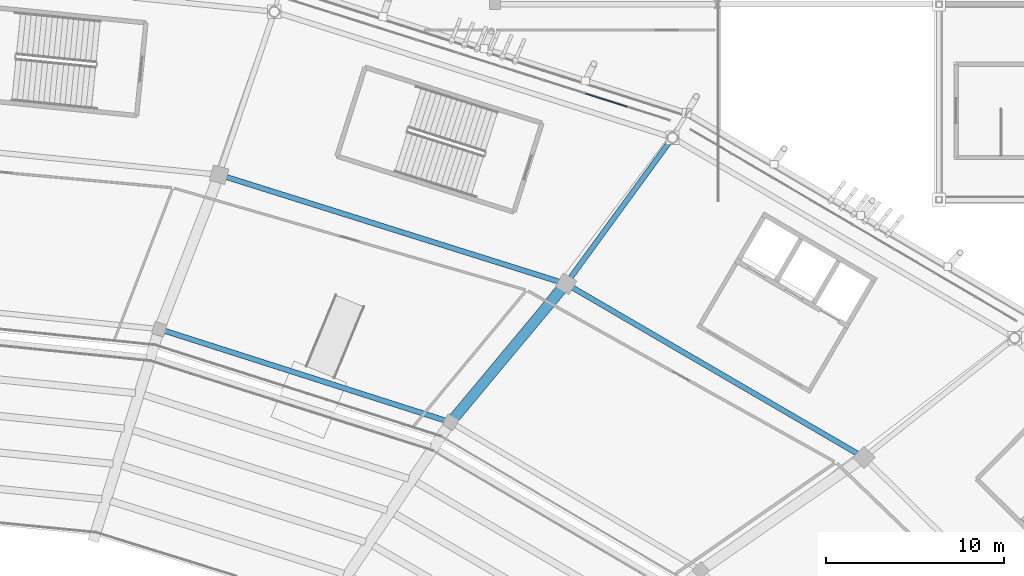
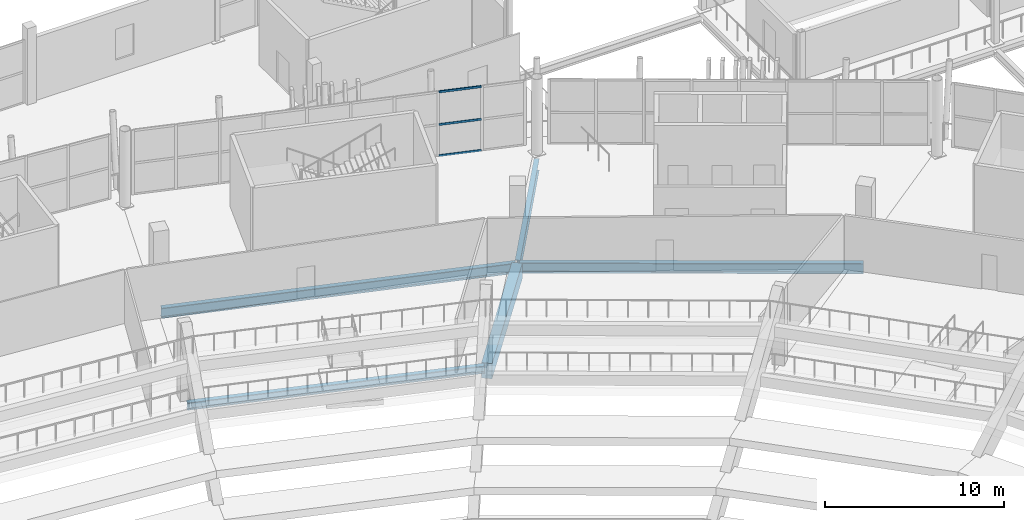
# One storey, part 81 of 178: 5 beams, 3 members, 1 element without a shape of its own.
"""IFC4 building model written with IfcOpenShell, lengths in metres."""

import ifcopenshell
import ifcopenshell.guid

model = None  # the IFC model being written
_history = None  # IfcOwnerHistory: only IFC2X3 demands one
_inside = {}  # id of a spatial element -> (the spatial element, [elements in it])
_under = {}  # id of a project, library or spatial element -> (it, [spatial elements below it])
_declared = {}  # id of a project -> (the project, [libraries it declares])
_typed = {}  # id of a type object -> (the type object, [elements of that type])
_made_of = {}  # id of a material, layer set ... -> (it, [elements and type objects made of it])


def new_model(schema):
    """Start an empty IFC model of exactly this schema.

    Asked for "IFC4X3", IfcOpenShell would pick the latest addendum, in which some entities
    have other attributes; the version numbers below select the first issue.
    IFC2X3 requires an IfcOwnerHistory on every rooted entity: one is made here for all.
    """
    global model, _history
    if schema == "IFC4X3":
        model = ifcopenshell.file(schema_version=(4, 3, 0, 0))
    else:
        model = ifcopenshell.file(schema=schema)
    _inside.clear()
    _under.clear()
    _declared.clear()
    _typed.clear()
    _made_of.clear()
    _history = None
    if model.schema == "IFC2X3":
        org = make("IfcOrganization", Name="unknown")
        user = make(
            "IfcPersonAndOrganization",
            ThePerson=make("IfcPerson", FamilyName="unknown"),
            TheOrganization=org,
        )
        app = make(
            "IfcApplication",
            ApplicationDeveloper=org,
            Version="unknown",
            ApplicationFullName="unknown",
            ApplicationIdentifier="unknown",
        )
        _history = make(
            "IfcOwnerHistory",
            OwningUser=user,
            OwningApplication=app,
            ChangeAction="ADDED",
            CreationDate=0,
        )
    return model


def make(cls, **values):
    """One entity of the class cls with the attributes given. An attribute that is None is left unset."""
    return model.create_entity(
        cls, **{name: value for name, value in values.items() if value is not None}
    )


def rooted(cls, **values):
    """An entity with a GlobalId (a new one), such as an element, a storey or a relation."""
    return make(cls, GlobalId=ifcopenshell.guid.new(), OwnerHistory=_history, **values)


def si_unit(unit_type, name, prefix=None):
    """IfcSIUnit, for example si_unit("LENGTHUNIT", "METRE", prefix="MILLI")."""
    return make("IfcSIUnit", UnitType=unit_type, Prefix=prefix, Name=name)


def assignment(units):
    """IfcUnitAssignment: the units of a project."""
    return None if units is None else make("IfcUnitAssignment", Units=units)


def point(xyz):
    """IfcCartesianPoint."""
    return None if xyz is None else make("IfcCartesianPoint", Coordinates=xyz)


def direction(xyz):
    """IfcDirection."""
    return None if xyz is None else make("IfcDirection", DirectionRatios=xyz)


def frame(location, z_axis=None, x_axis=None):
    """IfcAxis2Placement3D, a coordinate frame: its origin and axes. An axis left out is left unset."""
    return make(
        "IfcAxis2Placement3D",
        Location=point(location),
        Axis=direction(z_axis),
        RefDirection=direction(x_axis),
    )


def frame_2d(location, x_axis=None):
    """IfcAxis2Placement2D, a coordinate frame in the plane: its origin and x axis."""
    return make(
        "IfcAxis2Placement2D", Location=point(location), RefDirection=direction(x_axis)
    )


def origin():
    """The frame at (0, 0, 0) with its axes left unset."""
    return frame((0.0, 0.0, 0.0))


def origin_2d():
    """The frame at (0, 0) in the plane with its x axis left unset."""
    return frame_2d((0.0, 0.0))


def place(relative_to, where):
    """IfcLocalPlacement: puts the frame where relative to a parent placement (None: the world)."""
    return make(
        "IfcLocalPlacement", PlacementRelTo=relative_to, RelativePlacement=where
    )


def context(
    kind, dimensions, precision=None, world=None, true_north=None, identifier=None
):
    """IfcGeometricRepresentationContext, for example the 3D "Model" context."""
    return make(
        "IfcGeometricRepresentationContext",
        ContextIdentifier=identifier,
        ContextType=kind,
        CoordinateSpaceDimension=dimensions,
        Precision=precision,
        WorldCoordinateSystem=world,
        TrueNorth=true_north,
    )


def subcontext(parent, identifier, kind, view, scale=None):
    """IfcGeometricRepresentationSubContext, for example "Body" below "Model"."""
    return make(
        "IfcGeometricRepresentationSubContext",
        ContextIdentifier=identifier,
        ContextType=kind,
        ParentContext=parent,
        TargetScale=scale,
        TargetView=view,
    )


def project(units=None, contexts=None):
    """IfcProject with its units and contexts."""
    return rooted(
        "IfcProject",
        Name="project",
        RepresentationContexts=contexts,
        UnitsInContext=assignment(units),
    )


def spatial(cls, under=None, at=None, **own):
    """A site, building, storey or space (cls), placed at a placement, below another one or the project."""
    s = rooted(cls, ObjectPlacement=at, **own)
    if under is not None:
        _under.setdefault(under.id(), (under, []))[1].append(s)
    return s


def profile(cls, at=None, kind="AREA", **sizes):
    """A parametric profile (cls). Its sizes go by their IFC names, for example OverallWidth=200.0."""
    return make(cls, ProfileType=kind, Position=at, **sizes)


def rectangle(**sizes):
    """IfcRectangleProfileDef."""
    return profile("IfcRectangleProfileDef", **sizes)


def i_section(**sizes):
    """IfcIShapeProfileDef."""
    return profile("IfcIShapeProfileDef", **sizes)


def extrude(swept, where, along, depth):
    """IfcExtrudedAreaSolid: the profile swept, set in the frame where, extruded along a direction by depth."""
    return make(
        "IfcExtrudedAreaSolid",
        SweptArea=swept,
        Position=where,
        ExtrudedDirection=direction(along),
        Depth=depth,
    )


def shape(context_of_items, identifier, shape_type, items):
    """IfcShapeRepresentation: the items that make up one representation, for example the "Body"."""
    return make(
        "IfcShapeRepresentation",
        ContextOfItems=context_of_items,
        RepresentationIdentifier=identifier,
        RepresentationType=shape_type,
        Items=items,
    )


def material(Name=None, Category=None):
    """IfcMaterial."""
    return make("IfcMaterial", Name=Name, Category=Category)


def material_profile(
    of_material, cross_section, Name=None, Category=None, Priority=None
):
    """IfcMaterialProfile: a cross section and its material."""
    return make(
        "IfcMaterialProfile",
        Name=Name,
        Material=of_material,
        Profile=cross_section,
        Priority=Priority,
        Category=Category,
    )


def profile_set(profiles, Name=None, composite=None):
    """IfcMaterialProfileSet."""
    return make(
        "IfcMaterialProfileSet",
        Name=Name,
        MaterialProfiles=profiles,
        CompositeProfile=composite,
    )


def made_of(thing, what):
    """Note that an element or type object is made of a material, layer set ...; save() writes the relation."""
    if what is not None:
        _made_of.setdefault(what.id(), (what, []))[1].append(thing)
    return thing


def type_object(cls, material=None, **own):
    """A type object (cls), such as IfcWallType, which elements share."""
    return made_of(rooted(cls, **own), material)


def element(
    cls,
    number,
    at=None,
    inside=None,
    cuts=None,
    type_object=None,
    material=None,
    context=None,
    identifier="Body",
    shape_type=None,
    held_by="IfcProductDefinitionShape",
    body=None,
    shapes=None,
    **own,
):
    """One element of the class cls, such as IfcWall. Its Tag is "e" and its number.

    at: its placement. inside: the storey or other place that contains it. cuts: it is an
    opening in that element (IfcRelVoidsElement). A single representation is given by context,
    identifier, shape_type and body (its items); several are given by shapes. held_by: the class
    of the entity that holds the representations. save() writes the other relations.
    """
    e = rooted(cls, Tag="e%d" % number, ObjectPlacement=at, **own)
    if body is not None:
        shapes = [shape(context, identifier, shape_type, body)]
    if shapes is not None:
        e.Representation = make(held_by, Representations=shapes)
    if inside is not None:
        _inside.setdefault(inside.id(), (inside, []))[1].append(e)
    if cuts is not None:
        rooted(
            "IfcRelVoidsElement", RelatingBuildingElement=cuts, RelatedOpeningElement=e
        )
    if type_object is not None:
        _typed.setdefault(type_object.id(), (type_object, []))[1].append(e)
    return made_of(e, material)


def aggregate(whole, parts):
    """IfcRelAggregates: a whole, such as a stair, and the parts it consists of."""
    return rooted("IfcRelAggregates", RelatingObject=whole, RelatedObjects=parts)


def save(model, path):
    """Write the relations noted so far, then the file.

    IfcRelAggregates (storeys below a building ...), IfcRelContainedInSpatialStructure (elements
    in a storey), IfcRelDefinesByType, IfcRelAssociatesMaterial and IfcRelDeclares: one each for
    every whole, place, type object, material and project.
    """
    for whole, parts in _under.values():
        aggregate(whole, parts)
    for where, things in _inside.values():
        rooted(
            "IfcRelContainedInSpatialStructure",
            RelatedElements=things,
            RelatingStructure=where,
        )
    for kind, things in _typed.values():
        rooted("IfcRelDefinesByType", RelatedObjects=things, RelatingType=kind)
    for what, things in _made_of.values():
        rooted("IfcRelAssociatesMaterial", RelatedObjects=things, RelatingMaterial=what)
    for by, libraries in _declared.values():
        rooted("IfcRelDeclares", RelatingContext=by, RelatedDefinitions=libraries)
    model.write(path)


model = new_model("IFC4")

# Units and contexts
model_context = context("Model", 3, precision=1e-05, world=origin(), true_north=direction((0.0, 1.0)))
body_context = subcontext(model_context, "Body", "Model", "MODEL_VIEW")
ifc_project = project(units=[si_unit("LENGTHUNIT", "METRE"), si_unit("AREAUNIT", "SQUARE_METRE"), si_unit("VOLUMEUNIT", "CUBIC_METRE"), si_unit("PLANEANGLEUNIT", "RADIAN"), si_unit("MASSUNIT", "GRAM", prefix="KILO")], contexts=[model_context])

# Site, building, storey
site_placement = place(None, origin())
site = spatial("IfcSite", under=ifc_project, at=site_placement, CompositionType="ELEMENT")
building_placement = place(site_placement, origin())
building = spatial("IfcBuilding", under=site, at=building_placement, Name="Zlatoyarsky Gate Stadium", CompositionType="ELEMENT")
storey_placement = place(building_placement, frame((0.0, 0.0, 5.39990234375)))
storey = spatial("IfcBuildingStorey", under=building, at=storey_placement, Name="L01", CompositionType="ELEMENT", Elevation=5.39990234375)

# Curtain wall, members
ifc_material_1 = material(Name="Thermally broken anodised aluminium curtain wall", Category="aluminium")
curtain_wall_type = type_object("IfcCurtainWallType", Name="UNITISED HOSPITALITY GLAZING L01", PredefinedType="USERDEFINED", material=ifc_material_1)
curtain_wall_placement = place(storey_placement, origin())
curtain_wall = element("IfcCurtainWall", 1, at=curtain_wall_placement, inside=storey, type_object=curtain_wall_type, Name="Curtain wall CW-L01-04", ObjectType="UNITISED GLAZING", PredefinedType="USERDEFINED")
ifc_material_2 = material(Name="Anodised aluminium 6063-T6", Category="aluminium")
ifc_material_profile_1 = material_profile(ifc_material_2, rectangle(XDim=0.06494140625, YDim=0.139892578125, at=origin_2d()), Name="ALU 65X140")
ifc_profile_set_1 = profile_set([ifc_material_profile_1], Name="Anodised aluminium 6063-T6")
member_type = type_object("IfcMemberType", Name="ALUMINIUM TRANSOM 65X140", PredefinedType="USERDEFINED", material=ifc_profile_set_1)
member_1_placement = place(storey_placement, frame((154.9248046875, 143.2353515625, 0.03271484375), z_axis=(-0.953202400963, 0.302332900622, 0.0), x_axis=(-0.302332900622, -0.953202400963, 0.0)))
member_1 = element("IfcMember", 2, at=member_1_placement, type_object=member_type, Name="CW-UG1 transom 2.1", ObjectType="TRANSOM", PredefinedType="USERDEFINED", context=body_context, shape_type="SweptSolid", body=[
    extrude(rectangle(XDim=0.06494140625, YDim=0.139892578125, at=origin_2d()), origin(), (0.0, 0.0, 1.0), 2.4306640625),
])
member_2_placement = place(storey_placement, frame((154.9248046875, 143.2353515625, 2.150146484375), z_axis=(-0.953202400963, 0.302332900622, 0.0), x_axis=(-0.302332900622, -0.953202400963, 0.0)))
member_2 = element("IfcMember", 3, at=member_2_placement, type_object=member_type, Name="CW-UG1 transom 2.2", ObjectType="TRANSOM", PredefinedType="USERDEFINED", context=body_context, shape_type="SweptSolid", body=[
    extrude(rectangle(XDim=0.06494140625, YDim=0.139892578125, at=origin_2d()), origin(), (0.0, 0.0, 1.0), 2.4306640625),
])
member_3_placement = place(storey_placement, frame((154.9248046875, 143.2353515625, 4.36767578125), z_axis=(-0.953202400963, 0.302332900622, 0.0), x_axis=(-0.302332900622, -0.953202400963, 0.0)))
member_3 = element("IfcMember", 4, at=member_3_placement, type_object=member_type, Name="CW-UG1 transom 2.3", ObjectType="TRANSOM", PredefinedType="USERDEFINED", context=body_context, shape_type="SweptSolid", body=[
    extrude(rectangle(XDim=0.06494140625, YDim=0.139892578125, at=origin_2d()), origin(), (0.0, 0.0, 1.0), 2.4306640625),
])
aggregate(curtain_wall, [member_1, member_2, member_3])

# Beams
ifc_material_3 = material(Name="Concrete C40/50", Category="concrete")
ifc_material_profile_2 = material_profile(ifc_material_3, rectangle(XDim=0.60009765625, YDim=1.050048828125, at=origin_2d()), Name="RC GIRDER 600X1050")
ifc_profile_set_2 = profile_set([ifc_material_profile_2], Name="Concrete C40/50")
beam_type_1 = type_object("IfcBeamType", Name="CONCRETE PRIMARY GIRDER 600X1050", PredefinedType="T_BEAM", material=ifc_profile_set_2)
beam_1_placement = place(storey_placement, frame((145.076904296875, 125.55859375, -0.824951171875), z_axis=(0.640460635814, 0.767990998627, 0.0), x_axis=(-0.767990998627, 0.640460635814, 0.0)))
element("IfcBeam", 5, at=beam_1_placement, inside=storey, type_object=beam_type_1, Name="Beam G-RC105 BM-L01-RAB-04", PredefinedType="T_BEAM", context=body_context, shape_type="SweptSolid", body=[
    extrude(rectangle(XDim=0.60009765625, YDim=1.050048828125, at=origin_2d()), origin(), (0.0, 0.0, 1.0), 9.90869140625),
])
ifc_material_4 = material(Name="Steel S355", Category="steel")
ifc_material_profile_3 = material_profile(ifc_material_4, i_section(OverallWidth=0.300048828125, OverallDepth=0.5, WebThickness=0.014404296875, FlangeThickness=0.028076171875, FilletRadius=0.027099609375, at=origin_2d()), Name="HEB 500")
ifc_profile_set_3 = profile_set([ifc_material_profile_3], Name="Steel S355")
beam_type_2 = type_object("IfcBeamType", Name="STEEL PRIMARY GIRDER HEB 500", PredefinedType="BEAM", material=ifc_profile_set_3)
beam_2_placement = place(storey_placement, frame((144.8857421875, 125.5029296875, -0.5498046875), z_axis=(-0.952480396568, 0.304599891914, 0.0), x_axis=(-0.304599891914, -0.952480396568, 0.0)))
element("IfcBeam", 6, at=beam_2_placement, inside=storey, type_object=beam_type_2, Name="Beam G-HEB500 BM-L01-CRA-04", PredefinedType="BEAM", context=body_context, shape_type="SweptSolid", body=[
    extrude(i_section(OverallWidth=0.300048828125, OverallDepth=0.5, WebThickness=0.014404296875, FlangeThickness=0.028076171875, FilletRadius=0.027099609375, at=origin_2d()), origin(), (0.0, 0.0, 1.0), 16.978515625),
])
ifc_material_profile_4 = material_profile(ifc_material_4, i_section(OverallWidth=0.300048828125, OverallDepth=0.699951171875, WebThickness=0.01708984375, FlangeThickness=0.031982421875, FilletRadius=0.027099609375, at=origin_2d()), Name="HEB 700")
ifc_profile_set_4 = profile_set([ifc_material_profile_4], Name="Steel S355")
beam_type_3 = type_object("IfcBeamType", Name="STEEL PRIMARY GIRDER HEB 700", PredefinedType="BEAM", material=ifc_profile_set_4)
beam_3_placement = place(storey_placement, frame((168.171875, 123.547607421875, -0.64990234375), z_axis=(-0.864054462945, 0.503398336375, 0.0), x_axis=(-0.503398336375, -0.864054462945, 0.0)))
element("IfcBeam", 7, at=beam_3_placement, inside=storey, type_object=beam_type_3, Name="Beam G-HEB700 BM-L01-CRB-03", PredefinedType="BEAM", context=body_context, shape_type="SweptSolid", body=[
    extrude(i_section(OverallWidth=0.300048828125, OverallDepth=0.699951171875, WebThickness=0.01708984375, FlangeThickness=0.031982421875, FilletRadius=0.027099609375, at=origin_2d()), origin(), (0.0, 0.0, 1.0), 19.1748046875),
])
beam_4_placement = place(storey_placement, frame((151.385498046875, 133.296630859375, -0.64990234375), z_axis=(-0.953937507984, 0.300005384719, 0.0), x_axis=(-0.300005384719, -0.953937507984, 0.0)))
element("IfcBeam", 8, at=beam_4_placement, inside=storey, type_object=beam_type_3, Name="Beam G-HEB700 BM-L01-CRB-04", PredefinedType="BEAM", context=body_context, shape_type="SweptSolid", body=[
    extrude(i_section(OverallWidth=0.300048828125, OverallDepth=0.699951171875, WebThickness=0.01708984375, FlangeThickness=0.031982421875, FilletRadius=0.027099609375, at=origin_2d()), origin(), (0.0, 0.0, 1.0), 20.239013671875),
])
ifc_material_profile_5 = material_profile(ifc_material_4, i_section(OverallWidth=0.300048828125, OverallDepth=0.800048828125, WebThickness=0.017578125, FlangeThickness=0.032958984375, FilletRadius=0.030029296875, at=origin_2d()), Name="HEB 800")
ifc_profile_set_5 = profile_set([ifc_material_profile_5], Name="Steel S355")
beam_type_4 = type_object("IfcBeamType", Name="STEEL PRIMARY GIRDER HEB 800", PredefinedType="BEAM", material=ifc_profile_set_5)
beam_5_placement = place(storey_placement, frame((151.57080078125, 133.357666015625, -0.699951171875), z_axis=(0.589228266457, 0.807966614415, 0.0), x_axis=(-0.807966614415, 0.589228266457, 0.0)))
element("IfcBeam", 9, at=beam_5_placement, inside=storey, type_object=beam_type_4, Name="Beam G-HEB800 BM-L01-RBC-04", PredefinedType="BEAM", context=body_context, shape_type="SweptSolid", body=[
    extrude(i_section(OverallWidth=0.300048828125, OverallDepth=0.800048828125, WebThickness=0.017578125, FlangeThickness=0.032958984375, FilletRadius=0.030029296875, at=origin_2d()), origin(), (0.0, 0.0, 1.0), 9.9423828125),
])

save(model, "model.ifc")
